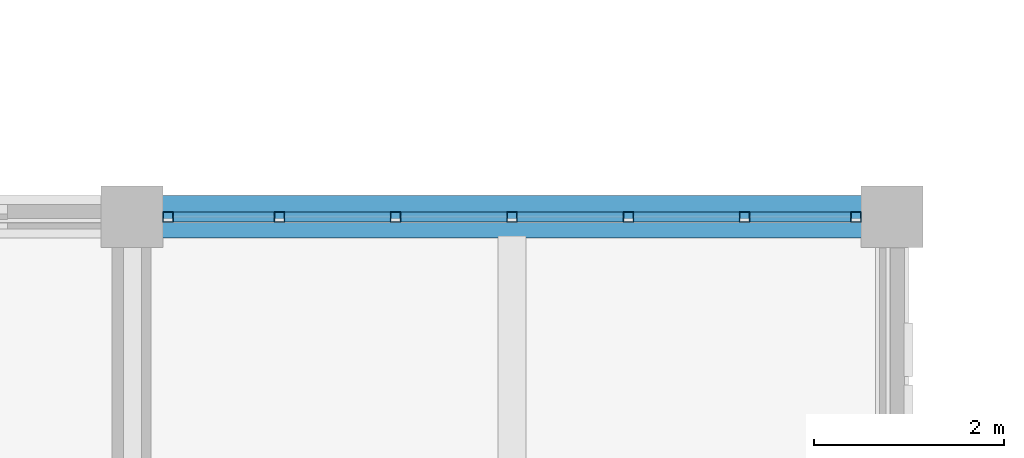
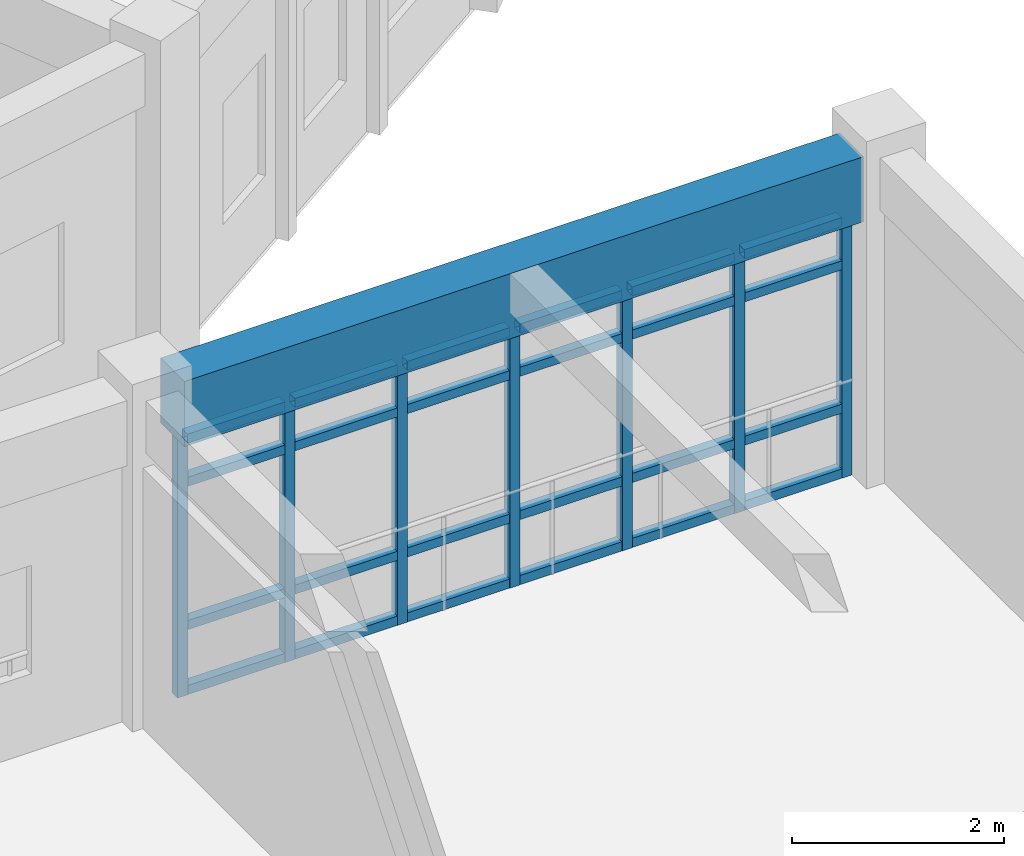
# One storey, part 24 of 112: 31 members, 1 beam, 1 element without a shape of its own.
"""IFC4 building model written with IfcOpenShell, lengths in metres."""

from ifc_helpers import new_model, si_unit, direction, frame, origin, origin_2d, place, context, subcontext, project, spatial, rectangle, hollow_rectangle, extrude, material, material_profile, profile_set, type_object, element, aggregate, save


model = new_model("IFC4")

# Units and contexts
model_context = context("Model", 3, precision=1e-05, world=origin(), true_north=direction((0.0, 1.0)))
body_context = subcontext(model_context, "Body", "Model", "MODEL_VIEW")
ifc_project = project(units=[si_unit("LENGTHUNIT", "METRE"), si_unit("AREAUNIT", "SQUARE_METRE"), si_unit("VOLUMEUNIT", "CUBIC_METRE"), si_unit("PLANEANGLEUNIT", "RADIAN"), si_unit("MASSUNIT", "GRAM", prefix="KILO")], contexts=[model_context])

# Site, building, storey
site_placement = place(None, origin())
site = spatial("IfcSite", under=ifc_project, at=site_placement, CompositionType="ELEMENT")
building_placement = place(site_placement, origin())
building = spatial("IfcBuilding", under=site, at=building_placement, Name="Celadon Cloister-Ring School", CompositionType="ELEMENT")
storey_placement = place(building_placement, frame((0.0, 0.0, 8.5)))
storey = spatial("IfcBuildingStorey", under=building, at=storey_placement, Name="L02", CompositionType="ELEMENT", Elevation=8.5)

# Curtain wall, members
ifc_material_1 = material(Name="Aluminium EN AW-6063 T6", Category="aluminium")
curtain_wall_type = type_object("IfcCurtainWallType", Name="CW-15", PredefinedType="USERDEFINED", material=ifc_material_1)
curtain_wall_placement = place(storey_placement, origin())
curtain_wall = element("IfcCurtainWall", 1, at=curtain_wall_placement, inside=storey, type_object=curtain_wall_type, Name="Curtain Wall 0200", ObjectType="CURTAIN WALL", PredefinedType="USERDEFINED")
ifc_material_2 = material(Name="Aluminium EN AW-6063 T6", Category="aluminium")
ifc_material_profile_1 = material_profile(ifc_material_2, hollow_rectangle(XDim=0.110107421875, YDim=0.110107421875, WallThickness=0.0048828125, at=origin_2d()), Name="RHS110X110X5")
ifc_profile_set_1 = profile_set([ifc_material_profile_1], Name="Aluminium EN AW-6063 T6")
member_type_1 = type_object("IfcMemberType", Name="CM-01", PredefinedType="MULLION", material=ifc_profile_set_1)
member_1_placement = place(storey_placement, frame((24.3798828125, 76.0, 0.0), z_axis=(0.0, 0.0, 1.0), x_axis=(0.0, 1.0, 0.0)))
member_1 = element("IfcMember", 2, at=member_1_placement, type_object=member_type_1, Name="CW-15 mullion 1", PredefinedType="MULLION", context=body_context, shape_type="SweptSolid", body=[
    extrude(hollow_rectangle(XDim=0.110107421875, YDim=0.110107421875, WallThickness=0.0048828125, at=origin_2d()), origin(), (0.0, 0.0, 1.0), 3.001953125),
])
member_2_placement = place(storey_placement, frame((25.550048828125, 76.0, 0.0), z_axis=(0.0, 0.0, 1.0), x_axis=(0.0, 1.0, 0.0)))
member_2 = element("IfcMember", 3, at=member_2_placement, type_object=member_type_1, Name="CW-15 mullion 2", PredefinedType="MULLION", context=body_context, shape_type="SweptSolid", body=[
    extrude(hollow_rectangle(XDim=0.110107421875, YDim=0.110107421875, WallThickness=0.0048828125, at=origin_2d()), origin(), (0.0, 0.0, 1.0), 3.001953125),
])
member_3_placement = place(storey_placement, frame((26.77490234375, 76.0, 0.0), z_axis=(0.0, 0.0, 1.0), x_axis=(0.0, 1.0, 0.0)))
member_3 = element("IfcMember", 4, at=member_3_placement, type_object=member_type_1, Name="CW-15 mullion 3", PredefinedType="MULLION", context=body_context, shape_type="SweptSolid", body=[
    extrude(hollow_rectangle(XDim=0.110107421875, YDim=0.110107421875, WallThickness=0.0048828125, at=origin_2d()), origin(), (0.0, 0.0, 1.0), 3.001953125),
])
member_4_placement = place(storey_placement, frame((28.0, 76.0, 0.0), z_axis=(0.0, 0.0, 1.0), x_axis=(0.0, 1.0, 0.0)))
member_4 = element("IfcMember", 5, at=member_4_placement, type_object=member_type_1, Name="CW-15 mullion 4", PredefinedType="MULLION", context=body_context, shape_type="SweptSolid", body=[
    extrude(hollow_rectangle(XDim=0.110107421875, YDim=0.110107421875, WallThickness=0.0048828125, at=origin_2d()), origin(), (0.0, 0.0, 1.0), 3.001953125),
])
member_5_placement = place(storey_placement, frame((29.22509765625, 76.0, 0.0), z_axis=(0.0, 0.0, 1.0), x_axis=(0.0, 1.0, 0.0)))
member_5 = element("IfcMember", 6, at=member_5_placement, type_object=member_type_1, Name="CW-15 mullion 5", PredefinedType="MULLION", context=body_context, shape_type="SweptSolid", body=[
    extrude(hollow_rectangle(XDim=0.110107421875, YDim=0.110107421875, WallThickness=0.0048828125, at=origin_2d()), origin(), (0.0, 0.0, 1.0), 3.001953125),
])
member_6_placement = place(storey_placement, frame((30.449951171875, 76.0, 0.0), z_axis=(0.0, 0.0, 1.0), x_axis=(0.0, 1.0, 0.0)))
member_6 = element("IfcMember", 7, at=member_6_placement, type_object=member_type_1, Name="CW-15 mullion 6", PredefinedType="MULLION", context=body_context, shape_type="SweptSolid", body=[
    extrude(hollow_rectangle(XDim=0.110107421875, YDim=0.110107421875, WallThickness=0.0048828125, at=origin_2d()), origin(), (0.0, 0.0, 1.0), 3.001953125),
])
member_7_placement = place(storey_placement, frame((31.6201171875, 76.0, 0.0), z_axis=(0.0, 0.0, 1.0), x_axis=(0.0, 1.0, 0.0)))
member_7 = element("IfcMember", 8, at=member_7_placement, type_object=member_type_1, Name="CW-15 mullion 7", PredefinedType="MULLION", context=body_context, shape_type="SweptSolid", body=[
    extrude(hollow_rectangle(XDim=0.110107421875, YDim=0.110107421875, WallThickness=0.0048828125, at=origin_2d()), origin(), (0.0, 0.0, 1.0), 3.001953125),
])
ifc_material_3 = material(Name="Aluminium EN AW-6063 T6", Category="aluminium")
ifc_material_profile_2 = material_profile(ifc_material_3, hollow_rectangle(XDim=0.10498046875, YDim=0.10498046875, WallThickness=0.0048828125, at=origin_2d()), Name="RHS105X105X5")
ifc_profile_set_2 = profile_set([ifc_material_profile_2], Name="Aluminium EN AW-6063 T6")
member_type_2 = type_object("IfcMemberType", Name="CTM-01", PredefinedType="USERDEFINED", material=ifc_profile_set_2)
member_8_placement = place(storey_placement, frame((24.43505859375, 76.0, 0.052490234375), z_axis=(1.0, 0.0, 0.0), x_axis=(0.0, 1.0, 0.0)))
member_8 = element("IfcMember", 9, at=member_8_placement, type_object=member_type_2, Name="CW-15 transom 1.1", ObjectType="TRANSOM", PredefinedType="USERDEFINED", context=body_context, shape_type="SweptSolid", body=[
    extrude(hollow_rectangle(XDim=0.10498046875, YDim=0.10498046875, WallThickness=0.0048828125, at=origin_2d()), origin(), (0.0, 0.0, 1.0), 1.06005859375),
])
member_9_placement = place(storey_placement, frame((24.43505859375, 76.0, 0.800048828125), z_axis=(1.0, 0.0, 0.0), x_axis=(0.0, 1.0, 0.0)))
member_9 = element("IfcMember", 10, at=member_9_placement, type_object=member_type_2, Name="CW-15 transom 1.2", ObjectType="TRANSOM", PredefinedType="USERDEFINED", context=body_context, shape_type="SweptSolid", body=[
    extrude(hollow_rectangle(XDim=0.10498046875, YDim=0.10498046875, WallThickness=0.0048828125, at=origin_2d()), origin(), (0.0, 0.0, 1.0), 1.06005859375),
])
member_10_placement = place(storey_placement, frame((24.43505859375, 76.0, 2.451904296875), z_axis=(1.0, 0.0, 0.0), x_axis=(0.0, 1.0, 0.0)))
member_10 = element("IfcMember", 11, at=member_10_placement, type_object=member_type_2, Name="CW-15 transom 1.3", ObjectType="TRANSOM", PredefinedType="USERDEFINED", context=body_context, shape_type="SweptSolid", body=[
    extrude(hollow_rectangle(XDim=0.10498046875, YDim=0.10498046875, WallThickness=0.0048828125, at=origin_2d()), origin(), (0.0, 0.0, 1.0), 1.06005859375),
])
member_11_placement = place(storey_placement, frame((24.43505859375, 76.0, 2.949462890625), z_axis=(1.0, 0.0, 0.0), x_axis=(0.0, 1.0, 0.0)))
member_11 = element("IfcMember", 12, at=member_11_placement, type_object=member_type_2, Name="CW-15 transom 1.4", ObjectType="TRANSOM", PredefinedType="USERDEFINED", context=body_context, shape_type="SweptSolid", body=[
    extrude(hollow_rectangle(XDim=0.10498046875, YDim=0.10498046875, WallThickness=0.0048828125, at=origin_2d()), origin(), (0.0, 0.0, 1.0), 1.06005859375),
])
member_12_placement = place(storey_placement, frame((25.60498046875, 76.0, 0.052490234375), z_axis=(1.0, 0.0, 0.0), x_axis=(0.0, 1.0, 0.0)))
member_12 = element("IfcMember", 13, at=member_12_placement, type_object=member_type_2, Name="CW-15 transom 2.1", ObjectType="TRANSOM", PredefinedType="USERDEFINED", context=body_context, shape_type="SweptSolid", body=[
    extrude(hollow_rectangle(XDim=0.10498046875, YDim=0.10498046875, WallThickness=0.0048828125, at=origin_2d()), origin(), (0.0, 0.0, 1.0), 1.114990234375),
])
member_13_placement = place(storey_placement, frame((25.60498046875, 76.0, 0.800048828125), z_axis=(1.0, 0.0, 0.0), x_axis=(0.0, 1.0, 0.0)))
member_13 = element("IfcMember", 14, at=member_13_placement, type_object=member_type_2, Name="CW-15 transom 2.2", ObjectType="TRANSOM", PredefinedType="USERDEFINED", context=body_context, shape_type="SweptSolid", body=[
    extrude(hollow_rectangle(XDim=0.10498046875, YDim=0.10498046875, WallThickness=0.0048828125, at=origin_2d()), origin(), (0.0, 0.0, 1.0), 1.114990234375),
])
member_14_placement = place(storey_placement, frame((25.60498046875, 76.0, 2.451904296875), z_axis=(1.0, 0.0, 0.0), x_axis=(0.0, 1.0, 0.0)))
member_14 = element("IfcMember", 15, at=member_14_placement, type_object=member_type_2, Name="CW-15 transom 2.3", ObjectType="TRANSOM", PredefinedType="USERDEFINED", context=body_context, shape_type="SweptSolid", body=[
    extrude(hollow_rectangle(XDim=0.10498046875, YDim=0.10498046875, WallThickness=0.0048828125, at=origin_2d()), origin(), (0.0, 0.0, 1.0), 1.114990234375),
])
member_15_placement = place(storey_placement, frame((25.60498046875, 76.0, 2.949462890625), z_axis=(1.0, 0.0, 0.0), x_axis=(0.0, 1.0, 0.0)))
member_15 = element("IfcMember", 16, at=member_15_placement, type_object=member_type_2, Name="CW-15 transom 2.4", ObjectType="TRANSOM", PredefinedType="USERDEFINED", context=body_context, shape_type="SweptSolid", body=[
    extrude(hollow_rectangle(XDim=0.10498046875, YDim=0.10498046875, WallThickness=0.0048828125, at=origin_2d()), origin(), (0.0, 0.0, 1.0), 1.114990234375),
])
member_16_placement = place(storey_placement, frame((26.830078125, 76.0, 0.052490234375), z_axis=(1.0, 0.0, 0.0), x_axis=(0.0, 1.0, 0.0)))
member_16 = element("IfcMember", 17, at=member_16_placement, type_object=member_type_2, Name="CW-15 transom 3.1", ObjectType="TRANSOM", PredefinedType="USERDEFINED", context=body_context, shape_type="SweptSolid", body=[
    extrude(hollow_rectangle(XDim=0.10498046875, YDim=0.10498046875, WallThickness=0.0048828125, at=origin_2d()), origin(), (0.0, 0.0, 1.0), 1.114990234375),
])
member_17_placement = place(storey_placement, frame((26.830078125, 76.0, 0.800048828125), z_axis=(1.0, 0.0, 0.0), x_axis=(0.0, 1.0, 0.0)))
member_17 = element("IfcMember", 18, at=member_17_placement, type_object=member_type_2, Name="CW-15 transom 3.2", ObjectType="TRANSOM", PredefinedType="USERDEFINED", context=body_context, shape_type="SweptSolid", body=[
    extrude(hollow_rectangle(XDim=0.10498046875, YDim=0.10498046875, WallThickness=0.0048828125, at=origin_2d()), origin(), (0.0, 0.0, 1.0), 1.114990234375),
])
member_18_placement = place(storey_placement, frame((26.830078125, 76.0, 2.451904296875), z_axis=(1.0, 0.0, 0.0), x_axis=(0.0, 1.0, 0.0)))
member_18 = element("IfcMember", 19, at=member_18_placement, type_object=member_type_2, Name="CW-15 transom 3.3", ObjectType="TRANSOM", PredefinedType="USERDEFINED", context=body_context, shape_type="SweptSolid", body=[
    extrude(hollow_rectangle(XDim=0.10498046875, YDim=0.10498046875, WallThickness=0.0048828125, at=origin_2d()), origin(), (0.0, 0.0, 1.0), 1.114990234375),
])
member_19_placement = place(storey_placement, frame((26.830078125, 76.0, 2.949462890625), z_axis=(1.0, 0.0, 0.0), x_axis=(0.0, 1.0, 0.0)))
member_19 = element("IfcMember", 20, at=member_19_placement, type_object=member_type_2, Name="CW-15 transom 3.4", ObjectType="TRANSOM", PredefinedType="USERDEFINED", context=body_context, shape_type="SweptSolid", body=[
    extrude(hollow_rectangle(XDim=0.10498046875, YDim=0.10498046875, WallThickness=0.0048828125, at=origin_2d()), origin(), (0.0, 0.0, 1.0), 1.114990234375),
])
member_20_placement = place(storey_placement, frame((28.054931640625, 76.0, 0.052490234375), z_axis=(1.0, 0.0, 0.0), x_axis=(0.0, 1.0, 0.0)))
member_20 = element("IfcMember", 21, at=member_20_placement, type_object=member_type_2, Name="CW-15 transom 4.1", ObjectType="TRANSOM", PredefinedType="USERDEFINED", context=body_context, shape_type="SweptSolid", body=[
    extrude(hollow_rectangle(XDim=0.10498046875, YDim=0.10498046875, WallThickness=0.0048828125, at=origin_2d()), origin(), (0.0, 0.0, 1.0), 1.114990234375),
])
member_21_placement = place(storey_placement, frame((28.054931640625, 76.0, 0.800048828125), z_axis=(1.0, 0.0, 0.0), x_axis=(0.0, 1.0, 0.0)))
member_21 = element("IfcMember", 22, at=member_21_placement, type_object=member_type_2, Name="CW-15 transom 4.2", ObjectType="TRANSOM", PredefinedType="USERDEFINED", context=body_context, shape_type="SweptSolid", body=[
    extrude(hollow_rectangle(XDim=0.10498046875, YDim=0.10498046875, WallThickness=0.0048828125, at=origin_2d()), origin(), (0.0, 0.0, 1.0), 1.114990234375),
])
member_22_placement = place(storey_placement, frame((28.054931640625, 76.0, 2.451904296875), z_axis=(1.0, 0.0, 0.0), x_axis=(0.0, 1.0, 0.0)))
member_22 = element("IfcMember", 23, at=member_22_placement, type_object=member_type_2, Name="CW-15 transom 4.3", ObjectType="TRANSOM", PredefinedType="USERDEFINED", context=body_context, shape_type="SweptSolid", body=[
    extrude(hollow_rectangle(XDim=0.10498046875, YDim=0.10498046875, WallThickness=0.0048828125, at=origin_2d()), origin(), (0.0, 0.0, 1.0), 1.114990234375),
])
member_23_placement = place(storey_placement, frame((28.054931640625, 76.0, 2.949462890625), z_axis=(1.0, 0.0, 0.0), x_axis=(0.0, 1.0, 0.0)))
member_23 = element("IfcMember", 24, at=member_23_placement, type_object=member_type_2, Name="CW-15 transom 4.4", ObjectType="TRANSOM", PredefinedType="USERDEFINED", context=body_context, shape_type="SweptSolid", body=[
    extrude(hollow_rectangle(XDim=0.10498046875, YDim=0.10498046875, WallThickness=0.0048828125, at=origin_2d()), origin(), (0.0, 0.0, 1.0), 1.114990234375),
])
member_24_placement = place(storey_placement, frame((29.280029296875, 76.0, 0.052490234375), z_axis=(1.0, 0.0, 0.0), x_axis=(0.0, 1.0, 0.0)))
member_24 = element("IfcMember", 25, at=member_24_placement, type_object=member_type_2, Name="CW-15 transom 5.1", ObjectType="TRANSOM", PredefinedType="USERDEFINED", context=body_context, shape_type="SweptSolid", body=[
    extrude(hollow_rectangle(XDim=0.10498046875, YDim=0.10498046875, WallThickness=0.0048828125, at=origin_2d()), origin(), (0.0, 0.0, 1.0), 1.114990234375),
])
member_25_placement = place(storey_placement, frame((29.280029296875, 76.0, 0.800048828125), z_axis=(1.0, 0.0, 0.0), x_axis=(0.0, 1.0, 0.0)))
member_25 = element("IfcMember", 26, at=member_25_placement, type_object=member_type_2, Name="CW-15 transom 5.2", ObjectType="TRANSOM", PredefinedType="USERDEFINED", context=body_context, shape_type="SweptSolid", body=[
    extrude(hollow_rectangle(XDim=0.10498046875, YDim=0.10498046875, WallThickness=0.0048828125, at=origin_2d()), origin(), (0.0, 0.0, 1.0), 1.114990234375),
])
member_26_placement = place(storey_placement, frame((29.280029296875, 76.0, 2.451904296875), z_axis=(1.0, 0.0, 0.0), x_axis=(0.0, 1.0, 0.0)))
member_26 = element("IfcMember", 27, at=member_26_placement, type_object=member_type_2, Name="CW-15 transom 5.3", ObjectType="TRANSOM", PredefinedType="USERDEFINED", context=body_context, shape_type="SweptSolid", body=[
    extrude(hollow_rectangle(XDim=0.10498046875, YDim=0.10498046875, WallThickness=0.0048828125, at=origin_2d()), origin(), (0.0, 0.0, 1.0), 1.114990234375),
])
member_27_placement = place(storey_placement, frame((29.280029296875, 76.0, 2.949462890625), z_axis=(1.0, 0.0, 0.0), x_axis=(0.0, 1.0, 0.0)))
member_27 = element("IfcMember", 28, at=member_27_placement, type_object=member_type_2, Name="CW-15 transom 5.4", ObjectType="TRANSOM", PredefinedType="USERDEFINED", context=body_context, shape_type="SweptSolid", body=[
    extrude(hollow_rectangle(XDim=0.10498046875, YDim=0.10498046875, WallThickness=0.0048828125, at=origin_2d()), origin(), (0.0, 0.0, 1.0), 1.114990234375),
])
member_28_placement = place(storey_placement, frame((30.5048828125, 76.0, 0.052490234375), z_axis=(1.0, 0.0, 0.0), x_axis=(0.0, 1.0, 0.0)))
member_28 = element("IfcMember", 29, at=member_28_placement, type_object=member_type_2, Name="CW-15 transom 6.1", ObjectType="TRANSOM", PredefinedType="USERDEFINED", context=body_context, shape_type="SweptSolid", body=[
    extrude(hollow_rectangle(XDim=0.10498046875, YDim=0.10498046875, WallThickness=0.0048828125, at=origin_2d()), origin(), (0.0, 0.0, 1.0), 1.06005859375),
])
member_29_placement = place(storey_placement, frame((30.5048828125, 76.0, 0.800048828125), z_axis=(1.0, 0.0, 0.0), x_axis=(0.0, 1.0, 0.0)))
member_29 = element("IfcMember", 30, at=member_29_placement, type_object=member_type_2, Name="CW-15 transom 6.2", ObjectType="TRANSOM", PredefinedType="USERDEFINED", context=body_context, shape_type="SweptSolid", body=[
    extrude(hollow_rectangle(XDim=0.10498046875, YDim=0.10498046875, WallThickness=0.0048828125, at=origin_2d()), origin(), (0.0, 0.0, 1.0), 1.06005859375),
])
member_30_placement = place(storey_placement, frame((30.5048828125, 76.0, 2.451904296875), z_axis=(1.0, 0.0, 0.0), x_axis=(0.0, 1.0, 0.0)))
member_30 = element("IfcMember", 31, at=member_30_placement, type_object=member_type_2, Name="CW-15 transom 6.3", ObjectType="TRANSOM", PredefinedType="USERDEFINED", context=body_context, shape_type="SweptSolid", body=[
    extrude(hollow_rectangle(XDim=0.10498046875, YDim=0.10498046875, WallThickness=0.0048828125, at=origin_2d()), origin(), (0.0, 0.0, 1.0), 1.06005859375),
])
member_31_placement = place(storey_placement, frame((30.5048828125, 76.0, 2.949462890625), z_axis=(1.0, 0.0, 0.0), x_axis=(0.0, 1.0, 0.0)))
member_31 = element("IfcMember", 32, at=member_31_placement, type_object=member_type_2, Name="CW-15 transom 6.4", ObjectType="TRANSOM", PredefinedType="USERDEFINED", context=body_context, shape_type="SweptSolid", body=[
    extrude(hollow_rectangle(XDim=0.10498046875, YDim=0.10498046875, WallThickness=0.0048828125, at=origin_2d()), origin(), (0.0, 0.0, 1.0), 1.06005859375),
])
aggregate(curtain_wall, [member_1, member_2, member_3, member_4, member_5, member_6, member_7, member_8, member_9, member_10, member_11, member_12, member_13, member_14, member_15, member_16, member_17, member_18, member_19, member_20, member_21, member_22, member_23, member_24, member_25, member_26, member_27, member_28, member_29, member_30, member_31])

# Beam
ifc_material_4 = material(Name="Concrete C35/45", Category="concrete")
ifc_material_profile_3 = material_profile(ifc_material_4, rectangle(XDim=0.449951171875, YDim=0.75, at=origin_2d()), Name="RC450X750")
ifc_profile_set_3 = profile_set([ifc_material_profile_3], Name="Concrete C35/45")
beam_type = type_object("IfcBeamType", Name="GT-02", PredefinedType="USERDEFINED", material=ifc_profile_set_3)
beam_placement = place(storey_placement, frame((24.300048828125, 76.0, 3.385009765625), z_axis=(1.0, 0.0, 0.0), x_axis=(0.0, 1.0, 0.0)))
element("IfcBeam", 33, at=beam_placement, inside=storey, type_object=beam_type, Name="Beam 1574", ObjectType="GIRDER", PredefinedType="USERDEFINED", context=body_context, shape_type="SweptSolid", body=[
    extrude(rectangle(XDim=0.449951171875, YDim=0.75, at=origin_2d()), origin(), (0.0, 0.0, 1.0), 7.39990234375),
])

save(model, "model.ifc")
